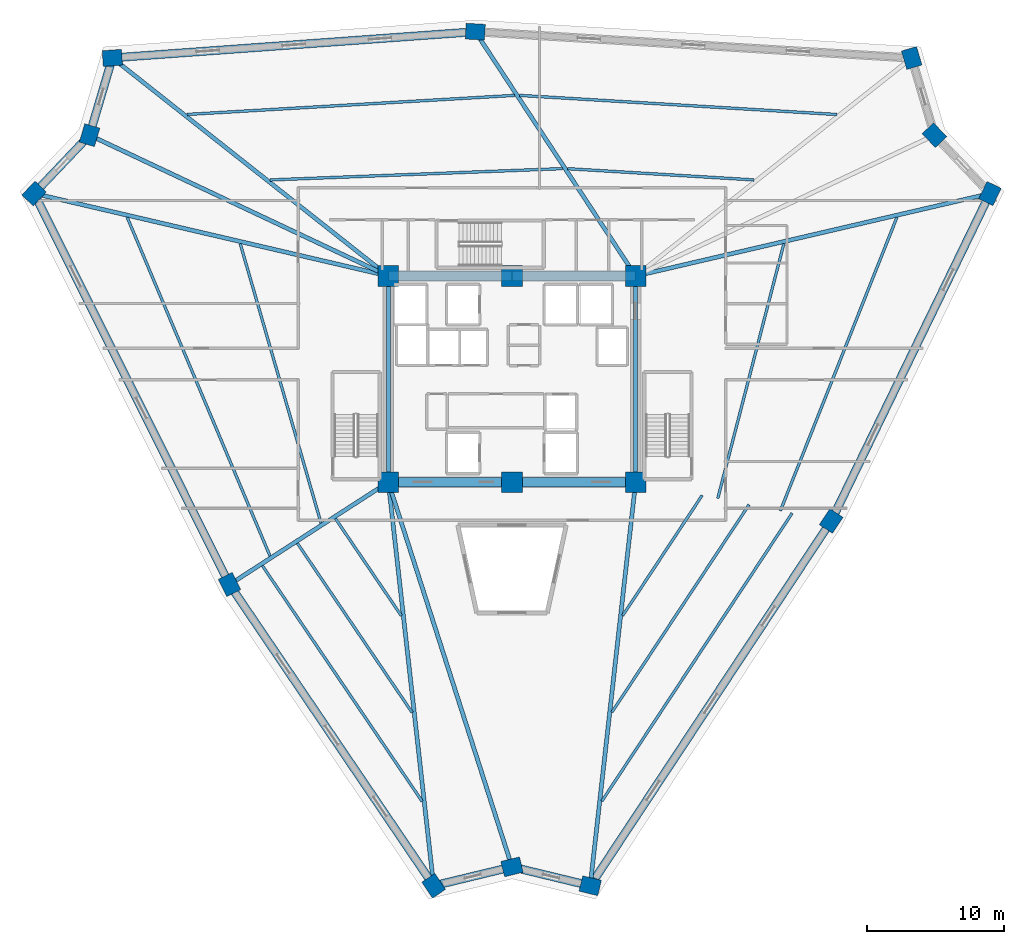
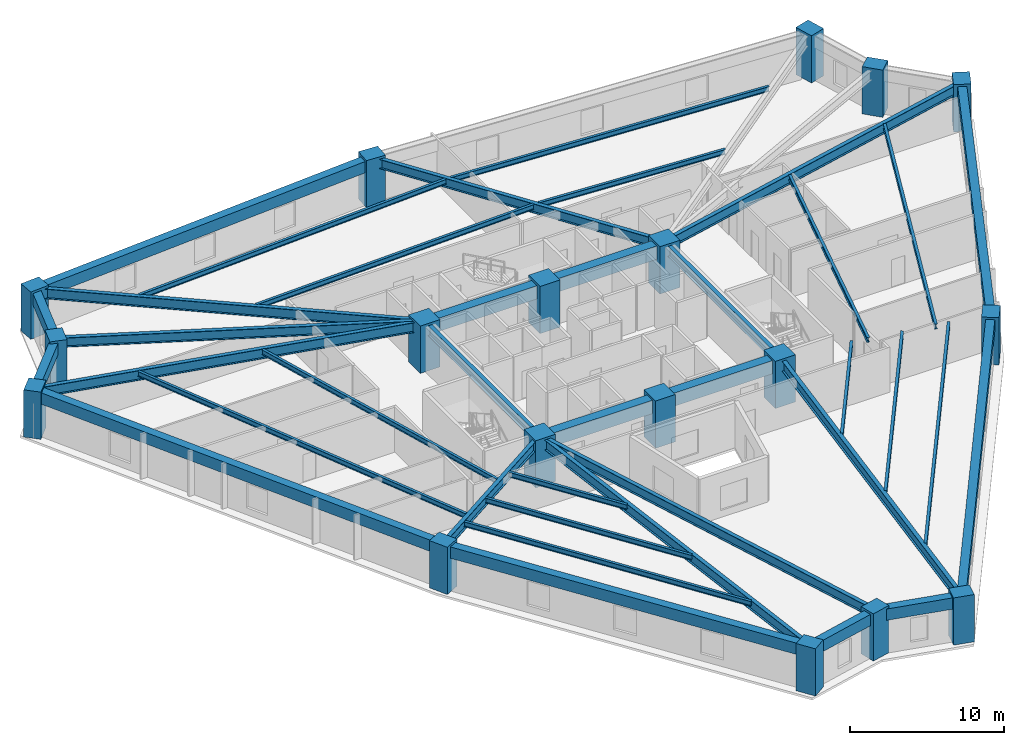
# One storey, part 1 of 8: 38 beams, 18 columns.
"""IFC4 building model written with IfcOpenShell, lengths in metres."""

from ifc_helpers import new_model, si_unit, direction, frame, origin, origin_2d, place, context, subcontext, project, spatial, rectangle, i_section, extrude, source, transform, mapped, material, material_profile, profile_set, type_object, element, save


model = new_model("IFC4")

# Units and contexts
model_context = context("Model", 3, precision=1e-05, world=origin(), true_north=direction((0.0, 1.0)))
body_context = subcontext(model_context, "Body", "Model", "MODEL_VIEW")
ifc_project = project(units=[si_unit("LENGTHUNIT", "METRE"), si_unit("AREAUNIT", "SQUARE_METRE"), si_unit("VOLUMEUNIT", "CUBIC_METRE"), si_unit("PLANEANGLEUNIT", "RADIAN"), si_unit("MASSUNIT", "GRAM", prefix="KILO")], contexts=[model_context])

# Site, building, storey
site_placement = place(None, origin())
site = spatial("IfcSite", under=ifc_project, at=site_placement, CompositionType="ELEMENT")
building_placement = place(site_placement, origin())
building = spatial("IfcBuilding", under=site, at=building_placement, Name="Liaohun Quay Tower", CompositionType="ELEMENT")
storey_placement = place(building_placement, frame((0.0, 0.0, 170.25)))
storey = spatial("IfcBuildingStorey", under=building, at=storey_placement, Name="L44", CompositionType="ELEMENT", Elevation=170.25)

# Columns
ifc_material_1 = material(Name="Concrete C60", Category="concrete")
ifc_material_profile_1 = material_profile(ifc_material_1, rectangle(XDim=1.5, YDim=1.5, at=origin_2d()), Name="RC1500x1500")
ifc_profile_set_1 = profile_set([ifc_material_profile_1], Name="Concrete C60")
column_type_1 = type_object("IfcColumnType", Name="COL-CC-Z2", PredefinedType="COLUMN", material=ifc_profile_set_1)
shared_shape_1 = source(origin(), body_context, "Body", "SweptSolid", [
    extrude(rectangle(XDim=1.5, YDim=1.5, at=origin_2d()), origin(), (0.0, 0.0, 1.0), 3.75),
])
for number, where, z_axis, x_axis, name in (
    (1, (51.0, 46.5, 0.0), (0.0, 0.0, 1.0), (1.0, 0.0, 0.0), "L44 Core Column CC1"),
    (2, (60.0, 46.5, 0.0), (0.0, 0.0, 1.0), (1.0, 0.0, 0.0), "L44 Core Column CC2"),
    (3, (69.0, 46.5, 0.0), (0.0, 0.0, 1.0), (1.0, 0.0, 0.0), "L44 Core Column CC3"),
    (4, (69.0, 61.5, 0.0), (0.0, 0.0, 1.0), (1.0, 0.0, 0.0), "L44 Core Column CC4"),
    (5, (60.0, 61.5, 0.0), (0.0, 0.0, 1.0), (1.0, 0.0, 0.0), "L44 Core Column CC5"),
    (6, (51.0, 61.5, 0.0), (0.0, 0.0, 1.0), (1.0, 0.0, 0.0), "L44 Core Column CC6"),
):
    element("IfcColumn", number, at=place(storey_placement, frame(where, z_axis=z_axis, x_axis=x_axis)), inside=storey, type_object=column_type_1, Name=name, PredefinedType="COLUMN", context=body_context, shape_type="MappedRepresentation", body=[
        mapped(shared_shape_1, transform((0.0, 0.0, 0.0), x_axis=(1.0, 0.0, 0.0), y_axis=(0.0, 1.0, 0.0), z_axis=(0.0, 0.0, 1.0), scale=1.0)),
    ])
ifc_material_profile_2 = material_profile(ifc_material_1, rectangle(XDim=1.39990234375, YDim=1.14990234375, at=origin_2d()), Name="RC1400x1150")
ifc_profile_set_2 = profile_set([ifc_material_profile_2], Name="Concrete C60")
column_type_2 = type_object("IfcColumnType", Name="COL-PIER-Z2", PredefinedType="COLUMN", material=ifc_profile_set_2)
shared_shape_2 = source(origin(), body_context, "Body", "SweptSolid", [
    extrude(rectangle(XDim=1.39990234375, YDim=1.14990234375, at=origin_2d()), origin(), (0.0, 0.0, 1.0), 3.75),
])
for number, where, z_axis, x_axis, name in (
    (7, (54.300048828125, 17.1220703125, 0.0), (0.0, 0.0, 1.0), (-0.56107248907, 0.827766671236, 0.0), "L44 Perimeter Pier PC01"),
    (8, (39.43994140625, 39.044921875, 0.0), (0.0, 0.0, 1.0), (-0.446978620671, 0.894544639838, 0.0), "L44 Perimeter Pier PC02"),
    (9, (25.218017578125, 67.508056640625, 0.0), (0.0, 0.0, 1.0), (0.689240273721, 0.724532846102, 0.0), "L44 Perimeter Pier PC03"),
    (10, (29.25390625, 71.7509765625, 0.0), (0.0, 0.0, 1.0), (0.28284371374, 0.959166009405, 0.0), "L44 Perimeter Pier PC04"),
    (11, (30.9130859375, 77.3759765625, 0.0), (0.0, 0.0, 1.0), (0.997403210231, 0.072019693281, 0.0), "L44 Perimeter Pier PC05"),
    (12, (57.3291015625, 79.282958984375, 0.0), (0.0, 0.0, 1.0), (-0.998187693254, 0.060177479469, 0.0), "L44 Perimeter Pier PC06"),
    (13, (89.089111328125, 77.367919921875, 0.0), (0.0, 0.0, 1.0), (-0.28284371374, 0.959166009405, 0.0), "L44 Perimeter Pier PC07"),
    (14, (90.74609375, 71.7509765625, 0.0), (0.0, 0.0, 1.0), (-0.689240273721, 0.724532846102, 0.0), "L44 Perimeter Pier PC08"),
    (15, (94.787109375, 67.5029296875, 0.0), (0.0, 0.0, 1.0), (0.436330721162, 0.899786364517, 0.0), "L44 Perimeter Pier PC09"),
    (16, (83.23193359375, 43.672119140625, 0.0), (0.0, 0.0, 1.0), (0.551209072583, 0.834367160369, 0.0), "L44 Perimeter Pier PC10"),
    (17, (65.693115234375, 17.123046875, 0.0), (0.0, 0.0, 1.0), (-0.972043021443, 0.234802820391, 0.0), "L44 Perimeter Pier PC11"),
    (18, (60.0, 18.498046875, 0.0), (0.0, 0.0, 1.0), (0.972043021443, 0.234802820391, 0.0), "L44 Perimeter Pier PC12"),
):
    element("IfcColumn", number, at=place(storey_placement, frame(where, z_axis=z_axis, x_axis=x_axis)), inside=storey, type_object=column_type_2, Name=name, PredefinedType="COLUMN", context=body_context, shape_type="MappedRepresentation", body=[
        mapped(shared_shape_2, transform((0.0, 0.0, 0.0), x_axis=(1.0, 0.0, 0.0), y_axis=(0.0, 1.0, 0.0), z_axis=(0.0, 0.0, 1.0), scale=1.0)),
    ])

# Beams
ifc_material_profile_3 = material_profile(ifc_material_1, rectangle(XDim=0.699951171875, YDim=1.050048828125, at=origin_2d()), Name="RC700x1050")
ifc_profile_set_3 = profile_set([ifc_material_profile_3], Name="Concrete C60")
beam_type_1 = type_object("IfcBeamType", Name="BM-CPL-1", PredefinedType="LINTEL", material=ifc_profile_set_3)
shared_shape_3 = source(origin(), body_context, "Body", "SweptSolid", [
    extrude(rectangle(XDim=0.699951171875, YDim=1.050048828125, at=origin_2d()), origin(), (0.0, 0.0, 1.0), 9.0),
])
for number, where, z_axis, x_axis, name in (
    (19, (51.0, 46.5, 3.044921875), (1.0, 0.0, 0.0), (0.0, 1.0, 0.0), "L44 Core Coupling/Ring Beam CC1-CC2"),
    (20, (60.0, 46.5, 3.044921875), (1.0, 0.0, 0.0), (0.0, 1.0, 0.0), "L44 Core Coupling/Ring Beam CC2-CC3"),
    (21, (69.0, 61.5, 3.044921875), (-1.0, 0.0, 0.0), (0.0, -1.0, 0.0), "L44 Core Coupling/Ring Beam CC4-CC5"),
    (22, (60.0, 61.5, 3.044921875), (-1.0, 0.0, 0.0), (0.0, -1.0, 0.0), "L44 Core Coupling/Ring Beam CC5-CC6"),
):
    element("IfcBeam", number, at=place(storey_placement, frame(where, z_axis=z_axis, x_axis=x_axis)), inside=storey, type_object=beam_type_1, Name=name, PredefinedType="LINTEL", context=body_context, shape_type="MappedRepresentation", body=[
        mapped(shared_shape_3, transform((0.0, 0.0, 0.0), x_axis=(1.0, 0.0, 0.0), y_axis=(0.0, 1.0, 0.0), z_axis=(0.0, 0.0, 1.0), scale=1.0)),
    ])
ifc_material_2 = material(Name="Steel Q355D", Category="steel")
ifc_material_profile_4 = material_profile(ifc_material_2, i_section(OverallWidth=0.300048828125, OverallDepth=0.800048828125, WebThickness=0.013916015625, FlangeThickness=0.02587890625, at=origin_2d()), Name="HN800x300x14x26")
ifc_profile_set_4 = profile_set([ifc_material_profile_4], Name="Steel Q355D")
beam_type_2 = type_object("IfcBeamType", Name="BM-RAD-M1", PredefinedType="BEAM", material=ifc_profile_set_4)
shared_shape_4 = source(origin(), body_context, "Body", "SweptSolid", [
    extrude(i_section(OverallWidth=0.300048828125, OverallDepth=0.800048828125, WebThickness=0.013916015625, FlangeThickness=0.02587890625, at=origin_2d()), origin(), (0.0, 0.0, 1.0), 15.0),
])
for number, where, z_axis, x_axis, name in (
    (23, (69.0, 46.5, 3.169921875), (0.0, 1.0, 0.0), (-1.0, 0.0, 0.0), "L44 Core Coupling/Ring Beam CC3-CC4"),
    (24, (51.0, 61.5, 3.169921875), (0.0, -1.0, 0.0), (1.0, 0.0, 0.0), "L44 Core Coupling/Ring Beam CC6-CC1"),
):
    element("IfcBeam", number, at=place(storey_placement, frame(where, z_axis=z_axis, x_axis=x_axis)), inside=storey, type_object=beam_type_2, Name=name, PredefinedType="BEAM", context=body_context, shape_type="MappedRepresentation", body=[
        mapped(shared_shape_4, transform((0.0, 0.0, 0.0), x_axis=(1.0, 0.0, 0.0), y_axis=(0.0, 1.0, 0.0), z_axis=(0.0, 0.0, 1.0), scale=1.0)),
    ])
shared_shape_5 = source(origin(), body_context, "Body", "SweptSolid", [
    extrude(i_section(OverallWidth=0.300048828125, OverallDepth=0.800048828125, WebThickness=0.013916015625, FlangeThickness=0.02587890625, at=origin_2d()), origin(), (0.0, 0.0, 1.0), 29.562744140625),
])
beam_1_placement = place(storey_placement, frame((51.0, 46.5, 3.169921875), z_axis=(0.111628813445, -0.993749972583, 0.0), x_axis=(0.993749972583, 0.111628813445, 0.0)))
element("IfcBeam", 25, at=beam_1_placement, inside=storey, type_object=beam_type_2, Name="L44 Radial Primary Girder CC1-PC01", PredefinedType="BEAM", context=body_context, shape_type="MappedRepresentation", body=[
    mapped(shared_shape_5, transform((0.0, 0.0, 0.0), x_axis=(1.0, 0.0, 0.0), y_axis=(0.0, 1.0, 0.0), z_axis=(0.0, 0.0, 1.0), scale=1.0)),
])
ifc_material_profile_5 = material_profile(ifc_material_2, i_section(OverallWidth=0.300048828125, OverallDepth=0.75, WebThickness=0.013916015625, FlangeThickness=0.02587890625, at=origin_2d()), Name="HN750x300x14x26")
ifc_profile_set_5 = profile_set([ifc_material_profile_5], Name="Steel Q355D")
beam_type_3 = type_object("IfcBeamType", Name="BM-RAD-M2", PredefinedType="BEAM", material=ifc_profile_set_5)
shared_shape_6 = source(origin(), body_context, "Body", "SweptSolid", [
    extrude(i_section(OverallWidth=0.300048828125, OverallDepth=0.75, WebThickness=0.013916015625, FlangeThickness=0.02587890625, at=origin_2d()), origin(), (0.0, 0.0, 1.0), 13.75537109375),
])
beam_2_placement = place(storey_placement, frame((51.0, 46.5, 3.195068359375), z_axis=(-0.840396787699, -0.541971622158, 0.0), x_axis=(0.541971622158, -0.840396787699, 0.0)))
element("IfcBeam", 26, at=beam_2_placement, inside=storey, type_object=beam_type_3, Name="L44 Radial Primary Girder CC1-PC02", PredefinedType="BEAM", context=body_context, shape_type="MappedRepresentation", body=[
    mapped(shared_shape_6, transform((0.0, 0.0, 0.0), x_axis=(1.0, 0.0, 0.0), y_axis=(0.0, 1.0, 0.0), z_axis=(0.0, 0.0, 1.0), scale=1.0)),
])
shared_shape_7 = source(origin(), body_context, "Body", "SweptSolid", [
    extrude(i_section(OverallWidth=0.300048828125, OverallDepth=0.800048828125, WebThickness=0.013916015625, FlangeThickness=0.02587890625, at=origin_2d()), origin(), (0.0, 0.0, 1.0), 26.47265625),
])
beam_3_placement = place(storey_placement, frame((51.0, 61.5, 3.169921875), z_axis=(-0.973905862646, 0.226952353379, 0.0), x_axis=(-0.226952353379, -0.973905862646, 0.0)))
element("IfcBeam", 27, at=beam_3_placement, inside=storey, type_object=beam_type_2, Name="L44 Radial Primary Girder CC6-PC03", PredefinedType="BEAM", context=body_context, shape_type="MappedRepresentation", body=[
    mapped(shared_shape_7, transform((0.0, 0.0, 0.0), x_axis=(1.0, 0.0, 0.0), y_axis=(0.0, 1.0, 0.0), z_axis=(0.0, 0.0, 1.0), scale=1.0)),
])
shared_shape_8 = source(origin(), body_context, "Body", "SweptSolid", [
    extrude(i_section(OverallWidth=0.300048828125, OverallDepth=0.75, WebThickness=0.013916015625, FlangeThickness=0.02587890625, at=origin_2d()), origin(), (0.0, 0.0, 1.0), 24.041015625),
])
beam_4_placement = place(storey_placement, frame((51.0, 61.5, 3.195068359375), z_axis=(-0.904537729086, 0.426393593597, 0.0), x_axis=(-0.426393593597, -0.904537729086, 0.0)))
element("IfcBeam", 28, at=beam_4_placement, inside=storey, type_object=beam_type_3, Name="L44 Radial Primary Girder CC6-PC04", PredefinedType="BEAM", context=body_context, shape_type="MappedRepresentation", body=[
    mapped(shared_shape_8, transform((0.0, 0.0, 0.0), x_axis=(1.0, 0.0, 0.0), y_axis=(0.0, 1.0, 0.0), z_axis=(0.0, 0.0, 1.0), scale=1.0)),
])
shared_shape_9 = source(origin(), body_context, "Body", "SweptSolid", [
    extrude(i_section(OverallWidth=0.300048828125, OverallDepth=0.800048828125, WebThickness=0.013916015625, FlangeThickness=0.02587890625, at=origin_2d()), origin(), (0.0, 0.0, 1.0), 25.603271484375),
])
beam_5_placement = place(storey_placement, frame((51.0, 61.5, 3.169921875), z_axis=(-0.784542884299, 0.620074562207, 0.0), x_axis=(-0.620074562207, -0.784542884299, 0.0)))
element("IfcBeam", 29, at=beam_5_placement, inside=storey, type_object=beam_type_2, Name="L44 Radial Primary Girder CC6-PC05", PredefinedType="BEAM", context=body_context, shape_type="MappedRepresentation", body=[
    mapped(shared_shape_9, transform((0.0, 0.0, 0.0), x_axis=(1.0, 0.0, 0.0), y_axis=(0.0, 1.0, 0.0), z_axis=(0.0, 0.0, 1.0), scale=1.0)),
])
shared_shape_10 = source(origin(), body_context, "Body", "SweptSolid", [
    extrude(i_section(OverallWidth=0.300048828125, OverallDepth=0.75, WebThickness=0.013916015625, FlangeThickness=0.02587890625, at=origin_2d()), origin(), (0.0, 0.0, 1.0), 21.270751953125),
])
beam_6_placement = place(storey_placement, frame((69.0, 61.5, 3.195068359375), z_axis=(-0.548683768494, 0.83602997685, 0.0), x_axis=(-0.83602997685, -0.548683768494, 0.0)))
element("IfcBeam", 30, at=beam_6_placement, inside=storey, type_object=beam_type_3, Name="L44 Radial Primary Girder CC4-PC06", PredefinedType="BEAM", context=body_context, shape_type="MappedRepresentation", body=[
    mapped(shared_shape_10, transform((0.0, 0.0, 0.0), x_axis=(1.0, 0.0, 0.0), y_axis=(0.0, 1.0, 0.0), z_axis=(0.0, 0.0, 1.0), scale=1.0)),
])
shared_shape_11 = source(origin(), body_context, "Body", "SweptSolid", [
    extrude(i_section(OverallWidth=0.300048828125, OverallDepth=0.800048828125, WebThickness=0.013916015625, FlangeThickness=0.02587890625, at=origin_2d()), origin(), (0.0, 0.0, 1.0), 26.4765625),
])
beam_7_placement = place(storey_placement, frame((69.0, 61.5, 3.169921875), z_axis=(0.973958610752, 0.226725879735, 0.0), x_axis=(-0.226725879735, 0.973958610752, 0.0)))
element("IfcBeam", 31, at=beam_7_placement, inside=storey, type_object=beam_type_2, Name="L44 Radial Primary Girder CC4-PC09", PredefinedType="BEAM", context=body_context, shape_type="MappedRepresentation", body=[
    mapped(shared_shape_11, transform((0.0, 0.0, 0.0), x_axis=(1.0, 0.0, 0.0), y_axis=(0.0, 1.0, 0.0), z_axis=(0.0, 0.0, 1.0), scale=1.0)),
])
shared_shape_12 = source(origin(), body_context, "Body", "SweptSolid", [
    extrude(i_section(OverallWidth=0.300048828125, OverallDepth=0.800048828125, WebThickness=0.013916015625, FlangeThickness=0.02587890625, at=origin_2d()), origin(), (0.0, 0.0, 1.0), 29.5625),
])
beam_8_placement = place(storey_placement, frame((69.0, 46.5, 3.169921875), z_axis=(-0.111860830301, -0.993723882497, 0.0), x_axis=(0.993723882497, -0.111860830301, 0.0)))
element("IfcBeam", 32, at=beam_8_placement, inside=storey, type_object=beam_type_2, Name="L44 Radial Primary Girder CC3-PC11", PredefinedType="BEAM", context=body_context, shape_type="MappedRepresentation", body=[
    mapped(shared_shape_12, transform((0.0, 0.0, 0.0), x_axis=(1.0, 0.0, 0.0), y_axis=(0.0, 1.0, 0.0), z_axis=(0.0, 0.0, 1.0), scale=1.0)),
])
shared_shape_13 = source(origin(), body_context, "Body", "SweptSolid", [
    extrude(i_section(OverallWidth=0.300048828125, OverallDepth=0.75, WebThickness=0.013916015625, FlangeThickness=0.02587890625, at=origin_2d()), origin(), (0.0, 0.0, 1.0), 29.412841796875),
])
beam_9_placement = place(storey_placement, frame((51.0, 46.5, 3.195068359375), z_axis=(0.305989834894, -0.952034779271, 0.0), x_axis=(0.952034779271, 0.305989834894, 0.0)))
element("IfcBeam", 33, at=beam_9_placement, inside=storey, type_object=beam_type_3, Name="L44 Radial Primary Girder CC1-PC12", PredefinedType="BEAM", context=body_context, shape_type="MappedRepresentation", body=[
    mapped(shared_shape_13, transform((0.0, 0.0, 0.0), x_axis=(1.0, 0.0, 0.0), y_axis=(0.0, 1.0, 0.0), z_axis=(0.0, 0.0, 1.0), scale=1.0)),
])
ifc_material_profile_6 = material_profile(ifc_material_2, i_section(OverallWidth=0.199951171875, OverallDepth=0.39990234375, WebThickness=0.008056640625, FlangeThickness=0.012939453125, at=origin_2d()), Name="HN400x200x8x13")
ifc_profile_set_6 = profile_set([ifc_material_profile_6], Name="Steel Q355D")
beam_type_4 = type_object("IfcBeamType", Name="BM-SEC-J2", PredefinedType="JOIST", material=ifc_profile_set_6)
shared_shape_14 = source(origin(), body_context, "Body", "SweptSolid", [
    extrude(i_section(OverallWidth=0.199951171875, OverallDepth=0.39990234375, WebThickness=0.008056640625, FlangeThickness=0.012939453125, at=origin_2d()), origin(), (0.0, 0.0, 1.0), 8.5322265625),
])
beam_10_placement = place(storey_placement, frame((51.94091796875, 36.778076171875, 3.3701171875), z_axis=(-0.561029712633, 0.827795664124, 0.0), x_axis=(-0.827795664124, -0.561029712633, 0.0)))
element("IfcBeam", 34, at=beam_10_placement, inside=storey, type_object=beam_type_4, Name="L44 Wing Secondary Floor Joist SJ-01", PredefinedType="JOIST", context=body_context, shape_type="MappedRepresentation", body=[
    mapped(shared_shape_14, transform((0.0, 0.0, 0.0), x_axis=(1.0, 0.0, 0.0), y_axis=(0.0, 1.0, 0.0), z_axis=(0.0, 0.0, 1.0), scale=1.0)),
])
shared_shape_15 = source(origin(), body_context, "Body", "SweptSolid", [
    extrude(i_section(OverallWidth=0.199951171875, OverallDepth=0.39990234375, WebThickness=0.008056640625, FlangeThickness=0.012939453125, at=origin_2d()), origin(), (0.0, 0.0, 1.0), 14.888671875),
])
beam_11_placement = place(storey_placement, frame((52.73291015625, 29.72802734375, 3.3701171875), z_axis=(-0.56110156038, 0.827746965527, 0.0), x_axis=(-0.827746965527, -0.56110156038, 0.0)))
element("IfcBeam", 35, at=beam_11_placement, inside=storey, type_object=beam_type_4, Name="L44 Wing Secondary Floor Joist SJ-02", PredefinedType="JOIST", context=body_context, shape_type="MappedRepresentation", body=[
    mapped(shared_shape_15, transform((0.0, 0.0, 0.0), x_axis=(1.0, 0.0, 0.0), y_axis=(0.0, 1.0, 0.0), z_axis=(0.0, 0.0, 1.0), scale=1.0)),
])
shared_shape_16 = source(origin(), body_context, "Body", "SweptSolid", [
    extrude(i_section(OverallWidth=0.199951171875, OverallDepth=0.39990234375, WebThickness=0.008056640625, FlangeThickness=0.012939453125, at=origin_2d()), origin(), (0.0, 0.0, 1.0), 20.71533203125),
])
beam_12_placement = place(storey_placement, frame((53.458984375, 23.264892578125, 3.3701171875), z_axis=(-0.561086043674, 0.827757483563, 0.0), x_axis=(-0.827757483563, -0.561086043674, 0.0)))
element("IfcBeam", 36, at=beam_12_placement, inside=storey, type_object=beam_type_4, Name="L44 Wing Secondary Floor Joist SJ-03", PredefinedType="JOIST", context=body_context, shape_type="MappedRepresentation", body=[
    mapped(shared_shape_16, transform((0.0, 0.0, 0.0), x_axis=(1.0, 0.0, 0.0), y_axis=(0.0, 1.0, 0.0), z_axis=(0.0, 0.0, 1.0), scale=1.0)),
])
shared_shape_17 = source(origin(), body_context, "Body", "SweptSolid", [
    extrude(i_section(OverallWidth=0.199951171875, OverallDepth=0.39990234375, WebThickness=0.008056640625, FlangeThickness=0.012939453125, at=origin_2d()), origin(), (0.0, 0.0, 1.0), 21.17236328125),
])
beam_13_placement = place(storey_placement, frame((46.10107421875, 43.51904296875, 3.3701171875), z_axis=(-0.277818957715, 0.960633450768, 0.0), x_axis=(-0.960633450768, -0.277818957715, 0.0)))
element("IfcBeam", 37, at=beam_13_placement, inside=storey, type_object=beam_type_4, Name="L44 Wing Secondary Floor Joist SJ-04", PredefinedType="JOIST", context=body_context, shape_type="MappedRepresentation", body=[
    mapped(shared_shape_17, transform((0.0, 0.0, 0.0), x_axis=(1.0, 0.0, 0.0), y_axis=(0.0, 1.0, 0.0), z_axis=(0.0, 0.0, 1.0), scale=1.0)),
])
shared_shape_18 = source(origin(), body_context, "Body", "SweptSolid", [
    extrude(i_section(OverallWidth=0.199951171875, OverallDepth=0.39990234375, WebThickness=0.008056640625, FlangeThickness=0.012939453125, at=origin_2d()), origin(), (0.0, 0.0, 1.0), 26.752197265625),
])
beam_14_placement = place(storey_placement, frame((42.385986328125, 41.1240234375, 3.3701171875), z_axis=(-0.388493501062, 0.921451463525, 0.0), x_axis=(-0.921451463525, -0.388493501062, 0.0)))
element("IfcBeam", 38, at=beam_14_placement, inside=storey, type_object=beam_type_4, Name="L44 Wing Secondary Floor Joist SJ-05", PredefinedType="JOIST", context=body_context, shape_type="MappedRepresentation", body=[
    mapped(shared_shape_18, transform((0.0, 0.0, 0.0), x_axis=(1.0, 0.0, 0.0), y_axis=(0.0, 1.0, 0.0), z_axis=(0.0, 0.0, 1.0), scale=1.0)),
])
shared_shape_19 = source(origin(), body_context, "Body", "SweptSolid", [
    extrude(i_section(OverallWidth=0.199951171875, OverallDepth=0.39990234375, WebThickness=0.008056640625, FlangeThickness=0.012939453125, at=origin_2d()), origin(), (0.0, 0.0, 1.0), 21.313720703125),
])
beam_15_placement = place(storey_placement, frame((42.39208984375, 68.493896484375, 3.3701171875), z_axis=(0.9992520098, 0.038670672487, 0.0), x_axis=(-0.038670672487, 0.9992520098, 0.0)))
element("IfcBeam", 39, at=beam_15_placement, inside=storey, type_object=beam_type_4, Name="L44 Wing Secondary Floor Joist SJ-06", PredefinedType="JOIST", context=body_context, shape_type="MappedRepresentation", body=[
    mapped(shared_shape_19, transform((0.0, 0.0, 0.0), x_axis=(1.0, 0.0, 0.0), y_axis=(0.0, 1.0, 0.0), z_axis=(0.0, 0.0, 1.0), scale=1.0)),
])
shared_shape_20 = source(origin(), body_context, "Body", "SweptSolid", [
    extrude(i_section(OverallWidth=0.199951171875, OverallDepth=0.39990234375, WebThickness=0.008056640625, FlangeThickness=0.012939453125, at=origin_2d()), origin(), (0.0, 0.0, 1.0), 23.8701171875),
])
beam_16_placement = place(storey_placement, frame((36.361083984375, 73.260986328125, 3.3701171875), z_axis=(0.998308134742, 0.058145232883, 0.0), x_axis=(-0.058145232883, 0.998308134742, 0.0)))
element("IfcBeam", 40, at=beam_16_placement, inside=storey, type_object=beam_type_4, Name="L44 Wing Secondary Floor Joist SJ-07", PredefinedType="JOIST", context=body_context, shape_type="MappedRepresentation", body=[
    mapped(shared_shape_20, transform((0.0, 0.0, 0.0), x_axis=(1.0, 0.0, 0.0), y_axis=(0.0, 1.0, 0.0), z_axis=(0.0, 0.0, 1.0), scale=1.0)),
])
shared_shape_21 = source(origin(), body_context, "Body", "SweptSolid", [
    extrude(i_section(OverallWidth=0.199951171875, OverallDepth=0.39990234375, WebThickness=0.008056640625, FlangeThickness=0.012939453125, at=origin_2d()), origin(), (0.0, 0.0, 1.0), 13.586669921875),
])
beam_17_placement = place(storey_placement, frame((64.052001953125, 69.31298828125, 3.3701171875), z_axis=(0.998186536267, -0.060196667804, 0.0), x_axis=(0.060196667804, 0.998186536267, 0.0)))
element("IfcBeam", 41, at=beam_17_placement, inside=storey, type_object=beam_type_4, Name="L44 Wing Secondary Floor Joist SJ-08", PredefinedType="JOIST", context=body_context, shape_type="MappedRepresentation", body=[
    mapped(shared_shape_21, transform((0.0, 0.0, 0.0), x_axis=(1.0, 0.0, 0.0), y_axis=(0.0, 1.0, 0.0), z_axis=(0.0, 0.0, 1.0), scale=1.0)),
])
shared_shape_22 = source(origin(), body_context, "Body", "SweptSolid", [
    extrude(i_section(OverallWidth=0.199951171875, OverallDepth=0.39990234375, WebThickness=0.008056640625, FlangeThickness=0.012939453125, at=origin_2d()), origin(), (0.0, 0.0, 1.0), 23.133056640625),
])
beam_18_placement = place(storey_placement, frame((60.550048828125, 74.64794921875, 3.3701171875), z_axis=(0.998188314423, -0.06016717502, 0.0), x_axis=(0.06016717502, 0.998188314423, 0.0)))
element("IfcBeam", 42, at=beam_18_placement, inside=storey, type_object=beam_type_4, Name="L44 Wing Secondary Floor Joist SJ-09", PredefinedType="JOIST", context=body_context, shape_type="MappedRepresentation", body=[
    mapped(shared_shape_22, transform((0.0, 0.0, 0.0), x_axis=(1.0, 0.0, 0.0), y_axis=(0.0, 1.0, 0.0), z_axis=(0.0, 0.0, 1.0), scale=1.0)),
])
shared_shape_23 = source(origin(), body_context, "Body", "SweptSolid", [
    extrude(i_section(OverallWidth=0.199951171875, OverallDepth=0.39990234375, WebThickness=0.008056640625, FlangeThickness=0.012939453125, at=origin_2d()), origin(), (0.0, 0.0, 1.0), 19.158935546875),
])
beam_19_placement = place(storey_placement, frame((79.7880859375, 63.85693359375, 3.3701171875), z_axis=(-0.25111340095, -0.967957674624, 0.0), x_axis=(0.967957674624, -0.25111340095, 0.0)))
element("IfcBeam", 43, at=beam_19_placement, inside=storey, type_object=beam_type_4, Name="L44 Wing Secondary Floor Joist SJ-10", PredefinedType="JOIST", context=body_context, shape_type="MappedRepresentation", body=[
    mapped(shared_shape_23, transform((0.0, 0.0, 0.0), x_axis=(1.0, 0.0, 0.0), y_axis=(0.0, 1.0, 0.0), z_axis=(0.0, 0.0, 1.0), scale=1.0)),
])
shared_shape_24 = source(origin(), body_context, "Body", "SweptSolid", [
    extrude(i_section(OverallWidth=0.199951171875, OverallDepth=0.39990234375, WebThickness=0.008056640625, FlangeThickness=0.012939453125, at=origin_2d()), origin(), (0.0, 0.0, 1.0), 22.98828125),
])
beam_20_placement = place(storey_placement, frame((88.014892578125, 65.77294921875, 3.3701171875), z_axis=(-0.369009068734, -0.929425794344, 0.0), x_axis=(0.929425794344, -0.369009068734, 0.0)))
element("IfcBeam", 44, at=beam_20_placement, inside=storey, type_object=beam_type_4, Name="L44 Wing Secondary Floor Joist SJ-11", PredefinedType="JOIST", context=body_context, shape_type="MappedRepresentation", body=[
    mapped(shared_shape_24, transform((0.0, 0.0, 0.0), x_axis=(1.0, 0.0, 0.0), y_axis=(0.0, 1.0, 0.0), z_axis=(0.0, 0.0, 1.0), scale=1.0)),
])
shared_shape_25 = source(origin(), body_context, "Body", "SweptSolid", [
    extrude(i_section(OverallWidth=0.199951171875, OverallDepth=0.39990234375, WebThickness=0.008056640625, FlangeThickness=0.012939453125, at=origin_2d()), origin(), (0.0, 0.0, 1.0), 10.488037109375),
])
beam_21_placement = place(storey_placement, frame((73.839111328125, 45.5380859375, 3.3701171875), z_axis=(-0.551198234726, -0.834374320095, 0.0), x_axis=(0.834374320095, -0.551198234726, 0.0)))
element("IfcBeam", 45, at=beam_21_placement, inside=storey, type_object=beam_type_4, Name="L44 Wing Secondary Floor Joist SJ-12", PredefinedType="JOIST", context=body_context, shape_type="MappedRepresentation", body=[
    mapped(shared_shape_25, transform((0.0, 0.0, 0.0), x_axis=(1.0, 0.0, 0.0), y_axis=(0.0, 1.0, 0.0), z_axis=(0.0, 0.0, 1.0), scale=1.0)),
])
shared_shape_26 = source(origin(), body_context, "Body", "SweptSolid", [
    extrude(i_section(OverallWidth=0.199951171875, OverallDepth=0.39990234375, WebThickness=0.008056640625, FlangeThickness=0.012939453125, at=origin_2d()), origin(), (0.0, 0.0, 1.0), 18.125244140625),
])
beam_22_placement = place(storey_placement, frame((77.2548828125, 44.860107421875, 3.3701171875), z_axis=(-0.551217080195, -0.834361870234, 0.0), x_axis=(0.834361870234, -0.551217080195, 0.0)))
element("IfcBeam", 46, at=beam_22_placement, inside=storey, type_object=beam_type_4, Name="L44 Wing Secondary Floor Joist SJ-13", PredefinedType="JOIST", context=body_context, shape_type="MappedRepresentation", body=[
    mapped(shared_shape_26, transform((0.0, 0.0, 0.0), x_axis=(1.0, 0.0, 0.0), y_axis=(0.0, 1.0, 0.0), z_axis=(0.0, 0.0, 1.0), scale=1.0)),
])
shared_shape_27 = source(origin(), body_context, "Body", "SweptSolid", [
    extrude(i_section(OverallWidth=0.199951171875, OverallDepth=0.39990234375, WebThickness=0.008056640625, FlangeThickness=0.012939453125, at=origin_2d()), origin(), (0.0, 0.0, 1.0), 25.1259765625),
])
beam_23_placement = place(storey_placement, frame((80.385986328125, 44.238037109375, 3.3701171875), z_axis=(-0.551224291021, -0.834357106393, 0.0), x_axis=(0.834357106393, -0.551224291021, 0.0)))
element("IfcBeam", 47, at=beam_23_placement, inside=storey, type_object=beam_type_4, Name="L44 Wing Secondary Floor Joist SJ-14", PredefinedType="JOIST", context=body_context, shape_type="MappedRepresentation", body=[
    mapped(shared_shape_27, transform((0.0, 0.0, 0.0), x_axis=(1.0, 0.0, 0.0), y_axis=(0.0, 1.0, 0.0), z_axis=(0.0, 0.0, 1.0), scale=1.0)),
])
ifc_material_3 = material(Name="Precast concrete C55", Category="concrete")
ifc_material_profile_7 = material_profile(ifc_material_3, rectangle(XDim=0.60009765625, YDim=0.89990234375, at=origin_2d()), Name="RC600x900")
ifc_profile_set_7 = profile_set([ifc_material_profile_7], Name="Precast concrete C55")
beam_type_5 = type_object("IfcBeamType", Name="BM-SPD-Z2", PredefinedType="SPANDREL", material=ifc_profile_set_7)
shared_shape_28 = source(origin(), body_context, "Body", "SweptSolid", [
    extrude(rectangle(XDim=0.60009765625, YDim=0.89990234375, at=origin_2d()), origin(), (0.0, 0.0, 1.0), 26.484619140625),
])
for number, where, z_axis, x_axis, name in (
    (48, (54.300048828125, 17.1220703125, 3.1201171875), (-0.561084764615, 0.827758350557, 0.0), (-0.827758350557, -0.561084764615, 0.0), "L44 Precast Spandrel Beam PC01-PC02"),
    (49, (94.787109375, 67.5029296875, 3.1201171875), (-0.436299289997, -0.89980160566, 0.0), (0.89980160566, -0.436299289997, 0.0), "L44 Precast Spandrel Beam PC09-PC10"),
):
    element("IfcBeam", number, at=place(storey_placement, frame(where, z_axis=z_axis, x_axis=x_axis)), inside=storey, type_object=beam_type_5, Name=name, PredefinedType="SPANDREL", context=body_context, shape_type="MappedRepresentation", body=[
        mapped(shared_shape_28, transform((0.0, 0.0, 0.0), x_axis=(1.0, 0.0, 0.0), y_axis=(0.0, 1.0, 0.0), z_axis=(0.0, 0.0, 1.0), scale=1.0)),
    ])
shared_shape_29 = source(origin(), body_context, "Body", "SweptSolid", [
    extrude(rectangle(XDim=0.60009765625, YDim=0.89990234375, at=origin_2d()), origin(), (0.0, 0.0, 1.0), 31.818359375),
])
beam_24_placement = place(storey_placement, frame((39.43994140625, 39.044921875, 3.1201171875), z_axis=(-0.446971114522, 0.894548390409, 0.0), x_axis=(-0.894548390409, -0.446971114522, 0.0)))
element("IfcBeam", 50, at=beam_24_placement, inside=storey, type_object=beam_type_5, Name="L44 Precast Spandrel Beam PC02-PC03", PredefinedType="SPANDREL", context=body_context, shape_type="MappedRepresentation", body=[
    mapped(shared_shape_29, transform((0.0, 0.0, 0.0), x_axis=(1.0, 0.0, 0.0), y_axis=(0.0, 1.0, 0.0), z_axis=(0.0, 0.0, 1.0), scale=1.0)),
])
shared_shape_30 = source(origin(), body_context, "Body", "SweptSolid", [
    extrude(rectangle(XDim=0.60009765625, YDim=0.89990234375, at=origin_2d()), origin(), (0.0, 0.0, 1.0), 5.855712890625),
])
beam_25_placement = place(storey_placement, frame((25.218017578125, 67.508056640625, 3.1201171875), z_axis=(0.689208427544, 0.724563139694, 0.0), x_axis=(-0.724563139694, 0.689208427544, 0.0)))
element("IfcBeam", 51, at=beam_25_placement, inside=storey, type_object=beam_type_5, Name="L44 Precast Spandrel Beam PC03-PC04", PredefinedType="SPANDREL", context=body_context, shape_type="MappedRepresentation", body=[
    mapped(shared_shape_30, transform((0.0, 0.0, 0.0), x_axis=(1.0, 0.0, 0.0), y_axis=(0.0, 1.0, 0.0), z_axis=(0.0, 0.0, 1.0), scale=1.0)),
])
shared_shape_31 = source(origin(), body_context, "Body", "SweptSolid", [
    extrude(rectangle(XDim=0.60009765625, YDim=0.89990234375, at=origin_2d()), origin(), (0.0, 0.0, 1.0), 5.864501953125),
])
beam_26_placement = place(storey_placement, frame((29.25390625, 71.7509765625, 3.1201171875), z_axis=(0.282914509671, 0.959145129903, 0.0), x_axis=(-0.959145129903, 0.282914509671, 0.0)))
element("IfcBeam", 52, at=beam_26_placement, inside=storey, type_object=beam_type_5, Name="L44 Precast Spandrel Beam PC04-PC05", PredefinedType="SPANDREL", context=body_context, shape_type="MappedRepresentation", body=[
    mapped(shared_shape_31, transform((0.0, 0.0, 0.0), x_axis=(1.0, 0.0, 0.0), y_axis=(0.0, 1.0, 0.0), z_axis=(0.0, 0.0, 1.0), scale=1.0)),
])
shared_shape_32 = source(origin(), body_context, "Body", "SweptSolid", [
    extrude(rectangle(XDim=0.60009765625, YDim=0.89990234375, at=origin_2d()), origin(), (0.0, 0.0, 1.0), 26.48486328125),
])
beam_27_placement = place(storey_placement, frame((30.9130859375, 77.3759765625, 3.1201171875), z_axis=(0.99740441461, 0.072003011853, 0.0), x_axis=(-0.072003011853, 0.99740441461, 0.0)))
element("IfcBeam", 53, at=beam_27_placement, inside=storey, type_object=beam_type_5, Name="L44 Precast Spandrel Beam PC05-PC06", PredefinedType="SPANDREL", context=body_context, shape_type="MappedRepresentation", body=[
    mapped(shared_shape_32, transform((0.0, 0.0, 0.0), x_axis=(1.0, 0.0, 0.0), y_axis=(0.0, 1.0, 0.0), z_axis=(0.0, 0.0, 1.0), scale=1.0)),
])
shared_shape_33 = source(origin(), body_context, "Body", "SweptSolid", [
    extrude(rectangle(XDim=0.60009765625, YDim=0.89990234375, at=origin_2d()), origin(), (0.0, 0.0, 1.0), 31.8193359375),
])
beam_28_placement = place(storey_placement, frame((83.23193359375, 43.672119140625, 3.1201171875), z_axis=(-0.551201850189, -0.834371931664, 0.0), x_axis=(0.834371931664, -0.551201850189, 0.0)))
element("IfcBeam", 54, at=beam_28_placement, inside=storey, type_object=beam_type_5, Name="L44 Precast Spandrel Beam PC10-PC11", PredefinedType="SPANDREL", context=body_context, shape_type="MappedRepresentation", body=[
    mapped(shared_shape_33, transform((0.0, 0.0, 0.0), x_axis=(1.0, 0.0, 0.0), y_axis=(0.0, 1.0, 0.0), z_axis=(0.0, 0.0, 1.0), scale=1.0)),
])
shared_shape_34 = source(origin(), body_context, "Body", "SweptSolid", [
    extrude(rectangle(XDim=0.60009765625, YDim=0.89990234375, at=origin_2d()), origin(), (0.0, 0.0, 1.0), 5.856689453125),
])
beam_29_placement = place(storey_placement, frame((65.693115234375, 17.123046875, 3.1201171875), z_axis=(-0.972051053399, 0.234769566994, 0.0), x_axis=(-0.234769566994, -0.972051053399, 0.0)))
element("IfcBeam", 55, at=beam_29_placement, inside=storey, type_object=beam_type_5, Name="L44 Precast Spandrel Beam PC11-PC12", PredefinedType="SPANDREL", context=body_context, shape_type="MappedRepresentation", body=[
    mapped(shared_shape_34, transform((0.0, 0.0, 0.0), x_axis=(1.0, 0.0, 0.0), y_axis=(0.0, 1.0, 0.0), z_axis=(0.0, 0.0, 1.0), scale=1.0)),
])
shared_shape_35 = source(origin(), body_context, "Body", "SweptSolid", [
    extrude(rectangle(XDim=0.60009765625, YDim=0.89990234375, at=origin_2d()), origin(), (0.0, 0.0, 1.0), 5.86376953125),
])
beam_30_placement = place(storey_placement, frame((60.0, 18.498046875, 3.1201171875), z_axis=(-0.97207729624, -0.234660883266, 0.0), x_axis=(0.234660883266, -0.97207729624, 0.0)))
element("IfcBeam", 56, at=beam_30_placement, inside=storey, type_object=beam_type_5, Name="L44 Precast Spandrel Beam PC12-PC01", PredefinedType="SPANDREL", context=body_context, shape_type="MappedRepresentation", body=[
    mapped(shared_shape_35, transform((0.0, 0.0, 0.0), x_axis=(1.0, 0.0, 0.0), y_axis=(0.0, 1.0, 0.0), z_axis=(0.0, 0.0, 1.0), scale=1.0)),
])

save(model, "model.ifc")
